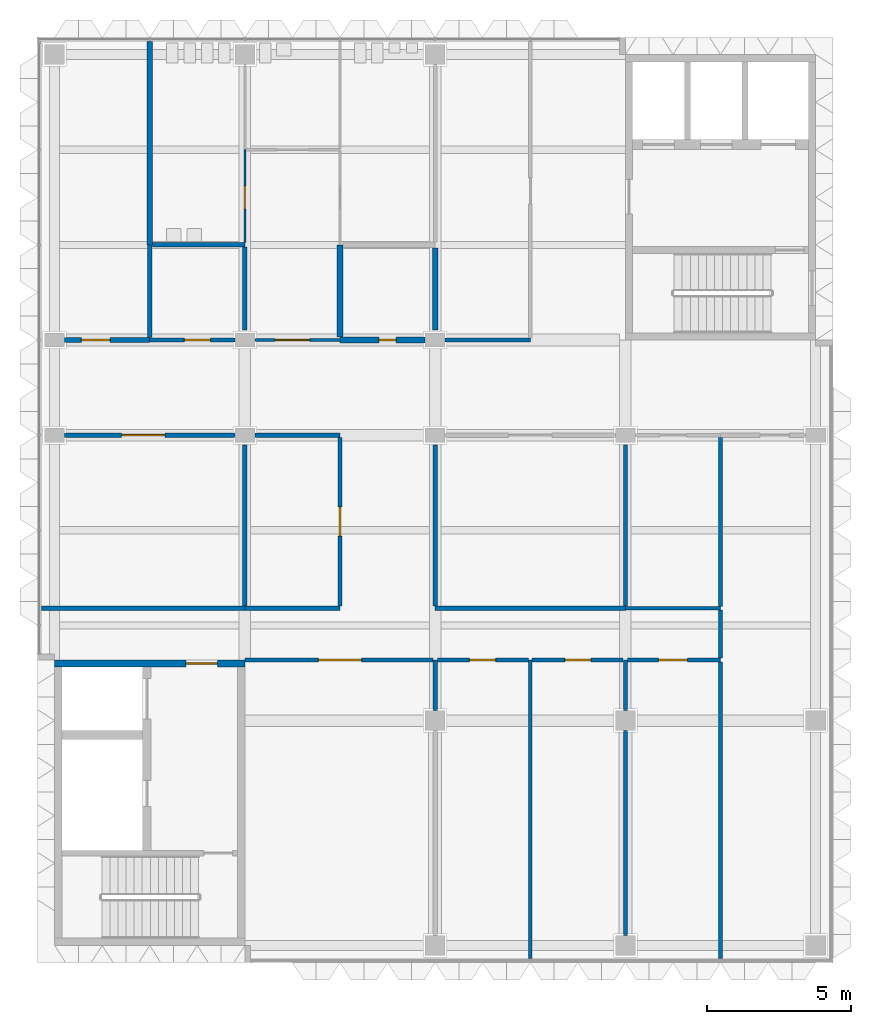
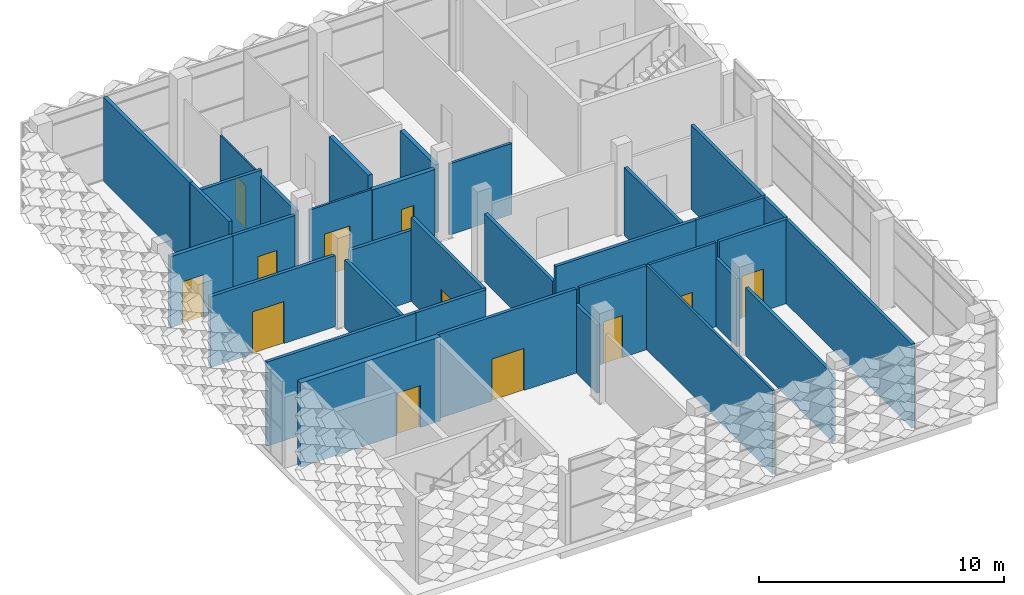
# One storey, part 9 of 29: 34 walls, 12 doors, 12 openings.
"""IFC4 building model written with IfcOpenShell, lengths in metres."""

from ifc_helpers import new_model, si_unit, direction, frame, frame_2d, origin, place, context, subcontext, project, spatial, rectangle, extrude, material, layer, layer_set, type_object, element, fill, save


model = new_model("IFC4")

# Units and contexts
model_context = context("Model", 3, precision=1e-05, world=origin(), true_north=direction((0.0, 1.0)))
body_context = subcontext(model_context, "Body", "Model", "MODEL_VIEW")
ifc_project = project(units=[si_unit("LENGTHUNIT", "METRE"), si_unit("AREAUNIT", "SQUARE_METRE"), si_unit("VOLUMEUNIT", "CUBIC_METRE"), si_unit("PLANEANGLEUNIT", "RADIAN"), si_unit("MASSUNIT", "GRAM", prefix="KILO")], contexts=[model_context])

# Site, building, storey
site_placement = place(None, origin())
site = spatial("IfcSite", under=ifc_project, at=site_placement, CompositionType="ELEMENT")
building_placement = place(site_placement, origin())
building = spatial("IfcBuilding", under=site, at=building_placement, Name="Lantern Court Research Institute", CompositionType="ELEMENT")
storey_placement = place(building_placement, frame((0.0, 0.0, 32.39990234375)))
storey = spatial("IfcBuildingStorey", under=building, at=storey_placement, Name="L07", CompositionType="ELEMENT", Elevation=32.39990234375)

# Wall, opening, door
ifc_material_1 = material(Name="Double-stud acoustic gypsum board partition, mineral wool filled")
ifc_layer_1 = layer(ifc_material_1, 0.175048828125)
ifc_layer_set_1 = layer_set([ifc_layer_1], Name="Double-stud acoustic gypsum board partition, mineral wool filled")
wall_type_1 = type_object("IfcWallType", Name="Acoustic partition 175 EI 60", PredefinedType="PARTITIONING", material=ifc_layer_set_1)
wall_1_placement = place(storey_placement, frame((53.14990234375, 13.199951171875, 0.0), z_axis=(0.0, 0.0, 1.0), x_axis=(1.0, 0.0, 0.0)))
wall_1 = element("IfcWall", 1, at=wall_1_placement, inside=storey, type_object=wall_type_1, Name="Acoustic partition 175 EI 60", PredefinedType="PARTITIONING", context=body_context, shape_type="SweptSolid", body=[
    extrude(rectangle(XDim=2.9501953125, YDim=0.175048828125, at=frame_2d((1.47509765625, 0.0))), origin(), (0.0, 0.0, 1.0), 3.550048828125),
])
opening_1_placement = place(wall_1_placement, frame((0.574951171875, 0.0, 0.0)))
opening_1 = element("IfcOpeningElement", 2, at=opening_1_placement, cuts=wall_1, Name="Opening D5701", PredefinedType="OPENING", context=body_context, shape_type="SweptSolid", body=[
    extrude(rectangle(XDim=1.0, YDim=2.10009765625, at=frame_2d((0.5, 1.050048828125))), frame((0.0, 0.097412109375, 0.0), z_axis=(0.0, -1.0, 0.0), x_axis=(1.0, 0.0, 0.0)), (0.0, 0.0, 1.0), 0.195068359375),
])
ifc_material_2 = material(Name="Solid-core timber door leaf", Category="wood")
ifc_layer_2 = layer(ifc_material_2, 0.053955078125)
ifc_layer_set_2 = layer_set([ifc_layer_2], Name="Solid-core timber door leaf")
door_type_1 = type_object("IfcDoorType", Name="Meeting room door 1000 x 2100 single FD30S", OperationType="NOTDEFINED", PredefinedType="DOOR", material=ifc_layer_set_2)
door_1_placement = place(opening_1_placement, origin())
door_1 = element("IfcDoor", 3, at=door_1_placement, inside=storey, type_object=door_type_1, Name="Door D5701", OperationType="SINGLE_SWING_RIGHT", OverallHeight=2.10009765625, OverallWidth=1.0, PredefinedType="DOOR", context=body_context, shape_type="SweptSolid", body=[
    extrude(rectangle(XDim=1.0, YDim=2.10009765625, at=frame_2d((0.5, 1.050048828125))), frame((0.0, 0.02685546875, 0.0), z_axis=(0.0, -1.0, 0.0), x_axis=(1.0, 0.0, 0.0)), (0.0, 0.0, 1.0), 0.053955078125),
])
fill(opening_1, door_1)

# Wall
wall_2_placement = place(storey_placement, frame((56.10009765625, 16.5, 0.0), z_axis=(0.0, 0.0, 1.0), x_axis=(0.0, 1.0, 0.0)))
element("IfcWall", 4, at=wall_2_placement, inside=storey, type_object=wall_type_1, Name="Acoustic partition 175 EI 60", PredefinedType="PARTITIONING", context=body_context, shape_type="SweptSolid", body=[
    extrude(rectangle(XDim=7.050048828125, YDim=0.175048828125, at=frame_2d((3.52490234375, 0.0))), origin(), (0.0, 0.0, 1.0), 4.2001953125),
])

# Wall, opening, door
ifc_material_3 = material(Name="Fire-rated gypsum board partition, mineral wool filled")
ifc_layer_3 = layer(ifc_material_3, 0.199951171875)
ifc_layer_set_3 = layer_set([ifc_layer_3], Name="Fire-rated gypsum board partition, mineral wool filled")
wall_type_2 = type_object("IfcWallType", Name="Compartment wall 200 EI 120", PredefinedType="PARTITIONING", material=ifc_layer_set_3)
wall_3_placement = place(storey_placement, frame((62.699951171875, 13.199951171875, 0.0), z_axis=(0.0, 0.0, 1.0), x_axis=(1.0, 0.0, 0.0)))
wall_3 = element("IfcWall", 5, at=wall_3_placement, inside=storey, type_object=wall_type_2, Name="Compartment wall 200 EI 120", PredefinedType="PARTITIONING", context=body_context, shape_type="SweptSolid", body=[
    extrude(rectangle(XDim=2.949951171875, YDim=0.199951171875, at=frame_2d((1.47509765625, 0.0))), origin(), (0.0, 0.0, 1.0), 3.550048828125),
])
opening_2_placement = place(wall_3_placement, frame((1.35009765625, 0.0, 0.0)))
opening_2 = element("IfcOpeningElement", 6, at=opening_2_placement, cuts=wall_3, Name="Opening D5706", PredefinedType="OPENING", context=body_context, shape_type="SweptSolid", body=[
    extrude(rectangle(XDim=0.60009765625, YDim=2.10009765625, at=frame_2d((0.300048828125, 1.050048828125))), frame((0.0, 0.10986328125, 0.0), z_axis=(0.0, -1.0, 0.0), x_axis=(1.0, 0.0, 0.0)), (0.0, 0.0, 1.0), 0.219970703125),
])
ifc_material_4 = material(Name="Solid-core timber door leaf", Category="wood")
ifc_layer_4 = layer(ifc_material_4, 0.06005859375)
ifc_layer_set_4 = layer_set([ifc_layer_4], Name="Solid-core timber door leaf")
door_type_2 = type_object("IfcDoorType", Name="Service riser door 600 x 2100 single FD60", OperationType="NOTDEFINED", PredefinedType="DOOR", material=ifc_layer_set_4)
door_2_placement = place(opening_2_placement, origin())
door_2 = element("IfcDoor", 7, at=door_2_placement, inside=storey, type_object=door_type_2, Name="Door D5706", OperationType="SINGLE_SWING_RIGHT", OverallHeight=2.10009765625, OverallWidth=0.60009765625, PredefinedType="DOOR", context=body_context, shape_type="SweptSolid", body=[
    extrude(rectangle(XDim=0.60009765625, YDim=2.10009765625, at=frame_2d((0.300048828125, 1.050048828125))), frame((0.0, 0.030029296875, 0.0), z_axis=(0.0, -1.0, 0.0), x_axis=(1.0, 0.0, 0.0)), (0.0, 0.0, 1.0), 0.06005859375),
])
fill(opening_2, door_2)

# Walls
wall_4_placement = place(storey_placement, frame((62.699951171875, 13.300048828125, 0.0), z_axis=(0.0, 0.0, 1.0), x_axis=(0.0, 1.0, 0.0)))
element("IfcWall", 8, at=wall_4_placement, inside=storey, type_object=wall_type_2, Name="Compartment wall 200 EI 120", PredefinedType="PARTITIONING", context=body_context, shape_type="SweptSolid", body=[
    extrude(rectangle(XDim=3.199951171875, YDim=0.199951171875, at=frame_2d((1.60009765625, 0.0))), origin(), (0.0, 0.0, 1.0), 4.2001953125),
])
wall_5_placement = place(storey_placement, frame((66.0, 13.550048828125, 0.0), z_axis=(0.0, 0.0, 1.0), x_axis=(0.0, 1.0, 0.0)))
element("IfcWall", 9, at=wall_5_placement, inside=storey, type_object=wall_type_2, Name="Compartment wall 200 EI 120", PredefinedType="PARTITIONING", context=body_context, shape_type="SweptSolid", body=[
    extrude(rectangle(XDim=2.849853515625, YDim=0.199951171875, at=frame_2d((1.4248046875, 0.0))), origin(), (0.0, 0.0, 1.0), 3.400146484375),
])
ifc_material_5 = material(Name="Fire-rated gypsum board partition, mineral wool filled")
ifc_layer_5 = layer(ifc_material_5, 0.125)
ifc_layer_set_5 = layer_set([ifc_layer_5], Name="Fire-rated gypsum board partition, mineral wool filled")
wall_type_3 = type_object("IfcWallType", Name="Corridor partition 125 EI 60", PredefinedType="PARTITIONING", material=ifc_layer_set_5)
wall_6_placement = place(storey_placement, frame((69.300048828125, 13.199951171875, 0.0), z_axis=(0.0, 0.0, 1.0), x_axis=(-1.0, 0.0, 0.0)))
element("IfcWall", 10, at=wall_6_placement, inside=storey, type_object=wall_type_3, Name="Corridor partition 125 EI 60", PredefinedType="PARTITIONING", context=body_context, shape_type="SweptSolid", body=[
    extrude(rectangle(XDim=2.949951171875, YDim=0.125, at=frame_2d((1.47509765625, 0.0))), origin(), (0.0, 0.0, 1.0), 3.550048828125),
])

# Wall, opening, door
wall_7_placement = place(storey_placement, frame((69.2451171875, 2.10009765625, 0.0), z_axis=(0.0, 0.0, 1.0), x_axis=(-1.0, 0.0, 0.0)))
wall_7 = element("IfcWall", 11, at=wall_7_placement, inside=storey, type_object=wall_type_3, Name="Corridor partition 125 EI 60", PredefinedType="PARTITIONING", context=body_context, shape_type="SweptSolid", body=[
    extrude(rectangle(XDim=3.170166015625, YDim=0.125, at=frame_2d((1.5849609375, 0.0))), origin(), (0.0, 0.0, 1.0), 4.2001953125),
])
opening_3_placement = place(wall_7_placement, frame((1.14501953125, 0.0, 0.0)))
opening_3 = element("IfcOpeningElement", 12, at=opening_3_placement, cuts=wall_7, Name="Opening D5710", PredefinedType="OPENING", context=body_context, shape_type="SweptSolid", body=[
    extrude(rectangle(XDim=0.89990234375, YDim=2.10009765625, at=frame_2d((0.449951171875, 1.050048828125))), frame((0.0, 0.072509765625, 0.0), z_axis=(0.0, -1.0, 0.0), x_axis=(1.0, 0.0, 0.0)), (0.0, 0.0, 1.0), 0.14501953125),
])
ifc_material_6 = material(Name="Solid-core timber door leaf", Category="wood")
ifc_layer_6 = layer(ifc_material_6, 0.053955078125)
ifc_layer_set_6 = layer_set([ifc_layer_6], Name="Solid-core timber door leaf")
door_type_3 = type_object("IfcDoorType", Name="Office door 900 x 2100 single FD30S", OperationType="NOTDEFINED", PredefinedType="DOOR", material=ifc_layer_set_6)
door_3_placement = place(opening_3_placement, origin())
door_3 = element("IfcDoor", 13, at=door_3_placement, inside=storey, type_object=door_type_3, Name="Door D5710", OperationType="SINGLE_SWING_LEFT", OverallHeight=2.10009765625, OverallWidth=0.89990234375, PredefinedType="DOOR", context=body_context, shape_type="SweptSolid", body=[
    extrude(rectangle(XDim=0.89990234375, YDim=2.10009765625, at=frame_2d((0.449951171875, 1.050048828125))), frame((0.0, 0.02685546875, 0.0), z_axis=(0.0, -1.0, 0.0), x_axis=(1.0, 0.0, 0.0)), (0.0, 0.0, 1.0), 0.053955078125),
])
fill(opening_3, door_3)

wall_8_placement = place(storey_placement, frame((72.52490234375, 2.10009765625, 0.0), z_axis=(0.0, 0.0, 1.0), x_axis=(-1.0, 0.0, 0.0)))
wall_8 = element("IfcWall", 14, at=wall_8_placement, inside=storey, type_object=wall_type_3, Name="Corridor partition 125 EI 60", PredefinedType="PARTITIONING", context=body_context, shape_type="SweptSolid", body=[
    extrude(rectangle(XDim=3.169921875, YDim=0.125, at=frame_2d((1.5849609375, 0.0))), origin(), (0.0, 0.0, 1.0), 4.2001953125),
])
opening_4_placement = place(wall_8_placement, frame((1.125, 0.0, 0.0)))
opening_4 = element("IfcOpeningElement", 15, at=opening_4_placement, cuts=wall_8, Name="Opening D5711", PredefinedType="OPENING", context=body_context, shape_type="SweptSolid", body=[
    extrude(rectangle(XDim=0.89990234375, YDim=2.10009765625, at=frame_2d((0.449951171875, 1.050048828125))), frame((0.0, 0.072509765625, 0.0), z_axis=(0.0, -1.0, 0.0), x_axis=(1.0, 0.0, 0.0)), (0.0, 0.0, 1.0), 0.14501953125),
])
door_4_placement = place(opening_4_placement, origin())
door_4 = element("IfcDoor", 16, at=door_4_placement, inside=storey, type_object=door_type_3, Name="Door D5711", OperationType="SINGLE_SWING_LEFT", OverallHeight=2.10009765625, OverallWidth=0.89990234375, PredefinedType="DOOR", context=body_context, shape_type="SweptSolid", body=[
    extrude(rectangle(XDim=0.89990234375, YDim=2.10009765625, at=frame_2d((0.449951171875, 1.050048828125))), frame((0.0, 0.02685546875, 0.0), z_axis=(0.0, -1.0, 0.0), x_axis=(1.0, 0.0, 0.0)), (0.0, 0.0, 1.0), 0.053955078125),
])
fill(opening_4, door_4)

# Wall
wall_9_placement = place(storey_placement, frame((75.89990234375, 3.89990234375, 0.0), z_axis=(0.0, 0.0, 1.0), x_axis=(-1.0, 0.0, 0.0)))
element("IfcWall", 17, at=wall_9_placement, inside=storey, type_object=wall_type_3, Name="Corridor partition 125 EI 60", PredefinedType="PARTITIONING", context=body_context, shape_type="SweptSolid", body=[
    extrude(rectangle(XDim=3.2998046875, YDim=0.125, at=frame_2d((1.64990234375, 0.0))), origin(), (0.0, 0.0, 1.0), 4.2001953125),
])

# Wall, opening, door
ifc_material_7 = material(Name="Fire-rated gypsum board partition, mineral wool filled")
ifc_layer_7 = layer(ifc_material_7, 0.14990234375)
ifc_layer_set_7 = layer_set([ifc_layer_7], Name="Fire-rated gypsum board partition, mineral wool filled")
wall_type_4 = type_object("IfcWallType", Name="Laboratory partition 150 EI 60", PredefinedType="PARTITIONING", material=ifc_layer_set_7)
wall_10_placement = place(storey_placement, frame((59.050048828125, 13.199951171875, 0.0), z_axis=(0.0, 0.0, 1.0), x_axis=(-1.0, 0.0, 0.0)))
wall_10 = element("IfcWall", 18, at=wall_10_placement, inside=storey, type_object=wall_type_4, Name="Laboratory partition 150 EI 60", PredefinedType="PARTITIONING", context=body_context, shape_type="SweptSolid", body=[
    extrude(rectangle(XDim=2.949951171875, YDim=0.14990234375, at=frame_2d((1.47509765625, 0.0))), origin(), (0.0, 0.0, 1.0), 3.550048828125),
])
opening_5_placement = place(wall_10_placement, frame((0.85009765625, 0.0, 0.0)))
opening_5 = element("IfcOpeningElement", 19, at=opening_5_placement, cuts=wall_10, Name="Opening D5702", PredefinedType="OPENING", context=body_context, shape_type="SweptSolid", body=[
    extrude(rectangle(XDim=0.89990234375, YDim=2.10009765625, at=frame_2d((0.449951171875, 1.050048828125))), frame((0.0, 0.0849609375, 0.0), z_axis=(0.0, -1.0, 0.0), x_axis=(1.0, 0.0, 0.0)), (0.0, 0.0, 1.0), 0.169921875),
])
ifc_material_8 = material(Name="Solid-core timber door leaf", Category="wood")
ifc_layer_8 = layer(ifc_material_8, 0.053955078125)
ifc_layer_set_8 = layer_set([ifc_layer_8], Name="Solid-core timber door leaf")
door_type_4 = type_object("IfcDoorType", Name="Cleaners store door 900 x 2100 single FD30S", OperationType="NOTDEFINED", PredefinedType="DOOR", material=ifc_layer_set_8)
door_5_placement = place(opening_5_placement, origin())
door_5 = element("IfcDoor", 20, at=door_5_placement, inside=storey, type_object=door_type_4, Name="Door D5702", OperationType="SINGLE_SWING_LEFT", OverallHeight=2.10009765625, OverallWidth=0.89990234375, PredefinedType="DOOR", context=body_context, shape_type="SweptSolid", body=[
    extrude(rectangle(XDim=0.89990234375, YDim=2.10009765625, at=frame_2d((0.449951171875, 1.050048828125))), frame((0.0, 0.02685546875, 0.0), z_axis=(0.0, -1.0, 0.0), x_axis=(1.0, 0.0, 0.0)), (0.0, 0.0, 1.0), 0.053955078125),
])
fill(opening_5, door_5)

wall_11_placement = place(storey_placement, frame((53.14990234375, 9.89990234375, 0.0), z_axis=(0.0, 0.0, 1.0), x_axis=(1.0, 0.0, 0.0)))
wall_11 = element("IfcWall", 21, at=wall_11_placement, inside=storey, type_object=wall_type_4, Name="Laboratory partition 150 EI 60", PredefinedType="PARTITIONING", context=body_context, shape_type="SweptSolid", body=[
    extrude(rectangle(XDim=5.900146484375, YDim=0.14990234375, at=frame_2d((2.9501953125, 0.0))), origin(), (0.0, 0.0, 1.0), 3.550048828125),
])
opening_6_placement = place(wall_11_placement, frame((1.97509765625, 0.0, 0.0)))
opening_6 = element("IfcOpeningElement", 22, at=opening_6_placement, cuts=wall_11, Name="Opening D5713", PredefinedType="OPENING", context=body_context, shape_type="SweptSolid", body=[
    extrude(rectangle(XDim=1.5, YDim=2.10009765625, at=frame_2d((0.75, 1.050048828125))), frame((0.0, 0.0849609375, 0.0), z_axis=(0.0, -1.0, 0.0), x_axis=(1.0, 0.0, 0.0)), (0.0, 0.0, 1.0), 0.169921875),
])
ifc_material_9 = material(Name="Solid-core timber door leaf with vision panel", Category="wood")
ifc_layer_9 = layer(ifc_material_9, 0.053955078125)
ifc_layer_set_9 = layer_set([ifc_layer_9], Name="Solid-core timber door leaf with vision panel")
door_type_5 = type_object("IfcDoorType", Name="Laboratory double door 1500 x 2100 pair FD30S", OperationType="DOUBLE_DOOR_SINGLE_SWING", PredefinedType="DOOR", material=ifc_layer_set_9)
door_6_placement = place(opening_6_placement, origin())
door_6 = element("IfcDoor", 23, at=door_6_placement, inside=storey, type_object=door_type_5, Name="Door D5713", OperationType="DOUBLE_DOOR_SINGLE_SWING", OverallHeight=2.10009765625, OverallWidth=1.5, PredefinedType="DOOR", context=body_context, shape_type="SweptSolid", body=[
    extrude(rectangle(XDim=1.5, YDim=2.10009765625, at=frame_2d((0.75, 1.050048828125))), frame((0.0, 0.02685546875, 0.0), z_axis=(0.0, -1.0, 0.0), x_axis=(1.0, 0.0, 0.0)), (0.0, 0.0, 1.0), 0.053955078125),
])
fill(opening_6, door_6)

# Walls
wall_12_placement = place(storey_placement, frame((59.75, 9.89990234375, 0.0), z_axis=(0.0, 0.0, 1.0), x_axis=(1.0, 0.0, 0.0)))
element("IfcWall", 24, at=wall_12_placement, inside=storey, type_object=wall_type_4, Name="Laboratory partition 150 EI 60", PredefinedType="PARTITIONING", context=body_context, shape_type="SweptSolid", body=[
    extrude(rectangle(XDim=2.949951171875, YDim=0.14990234375, at=frame_2d((1.47509765625, 0.0))), origin(), (0.0, 0.0, 1.0), 3.550048828125),
])
wall_13_placement = place(storey_placement, frame((56.10009765625, 13.28759765625, 0.0), z_axis=(0.0, 0.0, 1.0), x_axis=(0.0, 1.0, 0.0)))
element("IfcWall", 25, at=wall_13_placement, inside=storey, type_object=wall_type_4, Name="Laboratory partition 150 EI 60", PredefinedType="PARTITIONING", context=body_context, shape_type="SweptSolid", body=[
    extrude(rectangle(XDim=3.21240234375, YDim=0.14990234375, at=frame_2d((1.606201171875, 0.0))), origin(), (0.0, 0.0, 1.0), 4.2001953125),
])
wall_14_placement = place(storey_placement, frame((59.39990234375, 16.5, 0.0), z_axis=(0.0, 0.0, 1.0), x_axis=(-1.0, 0.0, 0.0)))
element("IfcWall", 26, at=wall_14_placement, inside=storey, type_object=wall_type_4, Name="Laboratory partition 150 EI 60", PredefinedType="PARTITIONING", context=body_context, shape_type="SweptSolid", body=[
    extrude(rectangle(XDim=3.21240234375, YDim=0.14990234375, at=frame_2d((1.606201171875, 0.0))), origin(), (0.0, 0.0, 1.0), 3.7001953125),
])
wall_15_placement = place(storey_placement, frame((59.39990234375, 13.550048828125, 0.0), z_axis=(0.0, 0.0, 1.0), x_axis=(0.0, 1.0, 0.0)))
element("IfcWall", 27, at=wall_15_placement, inside=storey, type_object=wall_type_4, Name="Laboratory partition 150 EI 60", PredefinedType="PARTITIONING", context=body_context, shape_type="SweptSolid", body=[
    extrude(rectangle(XDim=2.875, YDim=0.14990234375, at=frame_2d((1.4375, 0.0))), origin(), (0.0, 0.0, 1.0), 3.400146484375),
])
wall_16_placement = place(storey_placement, frame((66.0, 0.35009765625, 0.0), z_axis=(0.0, 0.0, 1.0), x_axis=(0.0, 1.0, 0.0)))
element("IfcWall", 28, at=wall_16_placement, inside=storey, type_object=wall_type_4, Name="Laboratory partition 150 EI 60", PredefinedType="PARTITIONING", context=body_context, shape_type="SweptSolid", body=[
    extrude(rectangle(XDim=1.75, YDim=0.14990234375, at=frame_2d((0.875, 0.0))), origin(), (0.0, 0.0, 1.0), 3.400146484375),
])

# Wall, opening, door
wall_17_placement = place(storey_placement, frame((65.925048828125, 2.10009765625, 0.0), z_axis=(0.0, 0.0, 1.0), x_axis=(-1.0, 0.0, 0.0)))
wall_17 = element("IfcWall", 29, at=wall_17_placement, inside=storey, type_object=wall_type_4, Name="Laboratory partition 150 EI 60", PredefinedType="PARTITIONING", context=body_context, shape_type="SweptSolid", body=[
    extrude(rectangle(XDim=6.52490234375, YDim=0.14990234375, at=frame_2d((3.262451171875, 0.0))), origin(), (0.0, 0.0, 1.0), 4.2001953125),
])
opening_7_placement = place(wall_17_placement, frame((2.47509765625, 0.0, 0.0)))
opening_7 = element("IfcOpeningElement", 30, at=opening_7_placement, cuts=wall_17, Name="Opening D5709", PredefinedType="OPENING", context=body_context, shape_type="SweptSolid", body=[
    extrude(rectangle(XDim=1.5, YDim=2.10009765625, at=frame_2d((0.75, 1.050048828125))), frame((0.0, 0.0849609375, 0.0), z_axis=(0.0, -1.0, 0.0), x_axis=(1.0, 0.0, 0.0)), (0.0, 0.0, 1.0), 0.169921875),
])
door_7_placement = place(opening_7_placement, origin())
door_7 = element("IfcDoor", 31, at=door_7_placement, inside=storey, type_object=door_type_5, Name="Door D5709", OperationType="DOUBLE_DOOR_SINGLE_SWING", OverallHeight=2.10009765625, OverallWidth=1.5, PredefinedType="DOOR", context=body_context, shape_type="SweptSolid", body=[
    extrude(rectangle(XDim=1.5, YDim=2.10009765625, at=frame_2d((0.75, 1.050048828125))), frame((0.0, 0.02685546875, 0.0), z_axis=(0.0, -1.0, 0.0), x_axis=(1.0, 0.0, 0.0)), (0.0, 0.0, 1.0), 0.053955078125),
])
fill(opening_7, door_7)

# Walls
wall_18_placement = place(storey_placement, frame((72.60009765625, -7.449951171875, 0.0), z_axis=(0.0, 0.0, 1.0), x_axis=(0.0, 1.0, 0.0)))
element("IfcWall", 32, at=wall_18_placement, inside=storey, type_object=wall_type_4, Name="Laboratory partition 150 EI 60", PredefinedType="PARTITIONING", context=body_context, shape_type="SweptSolid", body=[
    extrude(rectangle(XDim=7.099853515625, YDim=0.14990234375, at=frame_2d((3.5498046875, 0.0))), origin(), (0.0, 0.0, 1.0), 3.400146484375),
])
wall_19_placement = place(storey_placement, frame((72.60009765625, 0.35009765625, 0.0), z_axis=(0.0, 0.0, 1.0), x_axis=(0.0, 1.0, 0.0)))
element("IfcWall", 33, at=wall_19_placement, inside=storey, type_object=wall_type_4, Name="Laboratory partition 150 EI 60", PredefinedType="PARTITIONING", context=body_context, shape_type="SweptSolid", body=[
    extrude(rectangle(XDim=1.75, YDim=0.14990234375, at=frame_2d((0.875, 0.0))), origin(), (0.0, 0.0, 1.0), 3.400146484375),
])

# Wall, opening, door
wall_20_placement = place(storey_placement, frame((75.89990234375, 2.10009765625, 0.0), z_axis=(0.0, 0.0, 1.0), x_axis=(-1.0, 0.0, 0.0)))
wall_20 = element("IfcWall", 34, at=wall_20_placement, inside=storey, type_object=wall_type_4, Name="Laboratory partition 150 EI 60", PredefinedType="PARTITIONING", context=body_context, shape_type="SweptSolid", body=[
    extrude(rectangle(XDim=3.224853515625, YDim=0.14990234375, at=frame_2d((1.6123046875, 0.0))), origin(), (0.0, 0.0, 1.0), 4.2001953125),
])
opening_8_placement = place(wall_20_placement, frame((1.14990234375, 0.0, 0.0)))
opening_8 = element("IfcOpeningElement", 35, at=opening_8_placement, cuts=wall_20, Name="Opening D5712", PredefinedType="OPENING", context=body_context, shape_type="SweptSolid", body=[
    extrude(rectangle(XDim=1.0, YDim=2.10009765625, at=frame_2d((0.5, 1.050048828125))), frame((0.0, 0.0849609375, 0.0), z_axis=(0.0, -1.0, 0.0), x_axis=(1.0, 0.0, 0.0)), (0.0, 0.0, 1.0), 0.169921875),
])
ifc_material_10 = material(Name="Solid-core timber door leaf with vision panel", Category="wood")
ifc_layer_10 = layer(ifc_material_10, 0.053955078125)
ifc_layer_set_10 = layer_set([ifc_layer_10], Name="Solid-core timber door leaf with vision panel")
door_type_6 = type_object("IfcDoorType", Name="Laboratory door 1000 x 2100 single FD30S", OperationType="NOTDEFINED", PredefinedType="DOOR", material=ifc_layer_set_10)
door_8_placement = place(opening_8_placement, origin())
door_8 = element("IfcDoor", 36, at=door_8_placement, inside=storey, type_object=door_type_6, Name="Door D5712", OperationType="SINGLE_SWING_LEFT", OverallHeight=2.10009765625, OverallWidth=1.0, PredefinedType="DOOR", context=body_context, shape_type="SweptSolid", body=[
    extrude(rectangle(XDim=1.0, YDim=2.10009765625, at=frame_2d((0.5, 1.050048828125))), frame((0.0, 0.02685546875, 0.0), z_axis=(0.0, -1.0, 0.0), x_axis=(1.0, 0.0, 0.0)), (0.0, 0.0, 1.0), 0.053955078125),
])
fill(opening_8, door_8)

# Walls
wall_21_placement = place(storey_placement, frame((75.89990234375, -8.25, 0.0), z_axis=(0.0, 0.0, 1.0), x_axis=(0.0, 1.0, 0.0)))
element("IfcWall", 37, at=wall_21_placement, inside=storey, type_object=wall_type_4, Name="Laboratory partition 150 EI 60", PredefinedType="PARTITIONING", context=body_context, shape_type="SweptSolid", body=[
    extrude(rectangle(XDim=10.27490234375, YDim=0.14990234375, at=frame_2d((5.137451171875, 0.0))), origin(), (0.0, 0.0, 1.0), 4.2001953125),
])
wall_22_placement = place(storey_placement, frame((59.39990234375, 3.89990234375, 0.0), z_axis=(0.0, 0.0, 1.0), x_axis=(-1.0, 0.0, 0.0)))
element("IfcWall", 38, at=wall_22_placement, inside=storey, type_object=wall_type_4, Name="Laboratory partition 150 EI 60", PredefinedType="PARTITIONING", context=body_context, shape_type="SweptSolid", body=[
    extrude(rectangle(XDim=7.0498046875, YDim=0.14990234375, at=frame_2d((3.52490234375, 0.0))), origin(), (0.0, 0.0, 1.0), 4.2001953125),
])
wall_23_placement = place(storey_placement, frame((62.699951171875, 3.89990234375, 0.0), z_axis=(0.0, 0.0, 1.0), x_axis=(-1.0, 0.0, 0.0)))
element("IfcWall", 39, at=wall_23_placement, inside=storey, type_object=wall_type_4, Name="Laboratory partition 150 EI 60", PredefinedType="PARTITIONING", context=body_context, shape_type="SweptSolid", body=[
    extrude(rectangle(XDim=3.300048828125, YDim=0.14990234375, at=frame_2d((1.64990234375, 0.0))), origin(), (0.0, 0.0, 1.0), 4.2001953125),
])
wall_24_placement = place(storey_placement, frame((72.60009765625, 3.89990234375, 0.0), z_axis=(0.0, 0.0, 1.0), x_axis=(-1.0, 0.0, 0.0)))
element("IfcWall", 40, at=wall_24_placement, inside=storey, type_object=wall_type_4, Name="Laboratory partition 150 EI 60", PredefinedType="PARTITIONING", context=body_context, shape_type="SweptSolid", body=[
    extrude(rectangle(XDim=6.60009765625, YDim=0.14990234375, at=frame_2d((3.300048828125, 0.0))), origin(), (0.0, 0.0, 1.0), 4.2001953125),
])
wall_25_placement = place(storey_placement, frame((75.89990234375, 2.175048828125, 0.0), z_axis=(0.0, 0.0, 1.0), x_axis=(0.0, 1.0, 0.0)))
element("IfcWall", 41, at=wall_25_placement, inside=storey, type_object=wall_type_4, Name="Laboratory partition 150 EI 60", PredefinedType="PARTITIONING", context=body_context, shape_type="SweptSolid", body=[
    extrude(rectangle(XDim=1.662353515625, YDim=0.14990234375, at=frame_2d((0.8310546875, 0.0))), origin(), (0.0, 0.0, 1.0), 4.2001953125),
])
wall_26_placement = place(storey_placement, frame((59.39990234375, 3.97509765625, 0.0), z_axis=(0.0, 0.0, 1.0), x_axis=(0.0, 1.0, 0.0)))
element("IfcWall", 42, at=wall_26_placement, inside=storey, type_object=wall_type_4, Name="Laboratory partition 150 EI 60", PredefinedType="PARTITIONING", context=body_context, shape_type="SweptSolid", body=[
    extrude(rectangle(XDim=5.574951171875, YDim=0.14990234375, at=frame_2d((2.78759765625, 0.0))), origin(), (0.0, 0.0, 1.0), 3.400146484375),
])

# Wall, opening, door
wall_27_placement = place(storey_placement, frame((62.699951171875, 9.824951171875, 0.0), z_axis=(0.0, 0.0, 1.0), x_axis=(0.0, -1.0, 0.0)))
wall_27 = element("IfcWall", 43, at=wall_27_placement, inside=storey, type_object=wall_type_4, Name="Laboratory partition 150 EI 60", PredefinedType="PARTITIONING", context=body_context, shape_type="SweptSolid", body=[
    extrude(rectangle(XDim=5.849853515625, YDim=0.14990234375, at=frame_2d((2.9248046875, 0.0))), origin(), (0.0, 0.0, 1.0), 4.2001953125),
])
opening_9_placement = place(wall_27_placement, frame((2.425048828125, 0.0, 0.0)))
opening_9 = element("IfcOpeningElement", 44, at=opening_9_placement, cuts=wall_27, Name="Opening D5714", PredefinedType="OPENING", context=body_context, shape_type="SweptSolid", body=[
    extrude(rectangle(XDim=1.0, YDim=2.10009765625, at=frame_2d((0.5, 1.050048828125))), frame((0.0, 0.0849609375, 0.0), z_axis=(0.0, -1.0, 0.0), x_axis=(1.0, 0.0, 0.0)), (0.0, 0.0, 1.0), 0.169921875),
])
door_9_placement = place(opening_9_placement, origin())
door_9 = element("IfcDoor", 45, at=door_9_placement, inside=storey, type_object=door_type_6, Name="Door D5714", OperationType="SINGLE_SWING_RIGHT", OverallHeight=2.10009765625, OverallWidth=1.0, PredefinedType="DOOR", context=body_context, shape_type="SweptSolid", body=[
    extrude(rectangle(XDim=1.0, YDim=2.10009765625, at=frame_2d((0.5, 1.050048828125))), frame((0.0, 0.02685546875, 0.0), z_axis=(0.0, -1.0, 0.0), x_axis=(1.0, 0.0, 0.0)), (0.0, 0.0, 1.0), 0.053955078125),
])
fill(opening_9, door_9)

# Walls
for number, where, z_axis, x_axis, name in (
    (46, (66.0, 3.97509765625, 0.0), (0.0, 0.0, 1.0), (0.0, 1.0, 0.0), "Laboratory partition 150 EI 60"),
    (47, (72.60009765625, 3.97509765625, 0.0), (0.0, 0.0, 1.0), (0.0, 1.0, 0.0), "Laboratory partition 150 EI 60"),
):
    element("IfcWall", number, at=place(storey_placement, frame(where, z_axis=z_axis, x_axis=x_axis)), inside=storey, type_object=wall_type_4, Name=name, PredefinedType="PARTITIONING", context=body_context, shape_type="SweptSolid", body=[
        extrude(rectangle(XDim=5.574951171875, YDim=0.14990234375, at=frame_2d((2.78759765625, 0.0))), origin(), (0.0, 0.0, 1.0), 3.400146484375),
    ])
wall_28_placement = place(storey_placement, frame((75.89990234375, 3.96240234375, 0.0), z_axis=(0.0, 0.0, 1.0), x_axis=(0.0, 1.0, 0.0)))
element("IfcWall", 48, at=wall_28_placement, inside=storey, type_object=wall_type_4, Name="Laboratory partition 150 EI 60", PredefinedType="PARTITIONING", context=body_context, shape_type="SweptSolid", body=[
    extrude(rectangle(XDim=5.862548828125, YDim=0.14990234375, at=frame_2d((2.93115234375, 0.0))), origin(), (0.0, 0.0, 1.0), 4.2001953125),
])
ifc_material_11 = material(Name="Fire-rated gypsum board partition, mineral wool filled")
ifc_layer_11 = layer(ifc_material_11, 0.110107421875)
ifc_layer_set_11 = layer_set([ifc_layer_11], Name="Fire-rated gypsum board partition, mineral wool filled")
wall_type_5 = type_object("IfcWallType", Name="Office partition 110 EI 30", PredefinedType="PARTITIONING", material=ifc_layer_set_11)
wall_29_placement = place(storey_placement, frame((69.300048828125, -8.25, 0.0), z_axis=(0.0, 0.0, 1.0), x_axis=(0.0, 1.0, 0.0)))
element("IfcWall", 49, at=wall_29_placement, inside=storey, type_object=wall_type_5, Name="Office partition 110 EI 30", PredefinedType="PARTITIONING", context=body_context, shape_type="SweptSolid", body=[
    extrude(rectangle(XDim=10.35009765625, YDim=0.110107421875, at=frame_2d((5.175048828125, 0.0))), origin(), (0.0, 0.0, 1.0), 4.2001953125),
])

# Wall, opening, door
ifc_material_12 = material(Name="Gypsum board partition, mineral wool filled")
ifc_layer_12 = layer(ifc_material_12, 0.10009765625)
ifc_layer_set_12 = layer_set([ifc_layer_12], Name="Gypsum board partition, mineral wool filled")
wall_type_6 = type_object("IfcWallType", Name="Partition 100", PredefinedType="PARTITIONING", material=ifc_layer_set_12)
wall_30_placement = place(storey_placement, frame((59.75, 13.199951171875, 0.0), z_axis=(0.0, 0.0, 1.0), x_axis=(1.0, 0.0, 0.0)))
wall_30 = element("IfcWall", 50, at=wall_30_placement, inside=storey, type_object=wall_type_6, Name="Partition 100", PredefinedType="PARTITIONING", context=body_context, shape_type="SweptSolid", body=[
    extrude(rectangle(XDim=2.949951171875, YDim=0.10009765625, at=frame_2d((1.47509765625, 0.0))), origin(), (0.0, 0.0, 1.0), 3.550048828125),
])
opening_10_placement = place(wall_30_placement, frame((0.699951171875, 0.0, 0.0)))
opening_10 = element("IfcOpeningElement", 51, at=opening_10_placement, cuts=wall_30, Name="Opening D5704", PredefinedType="OPENING", context=body_context, shape_type="SweptSolid", body=[
    extrude(rectangle(XDim=1.199951171875, YDim=2.10009765625, at=frame_2d((0.60009765625, 1.050048828125))), frame((0.0, 0.06005859375, 0.0), z_axis=(0.0, -1.0, 0.0), x_axis=(1.0, 0.0, 0.0)), (0.0, 0.0, 1.0), 0.1201171875),
])
ifc_material_13 = material(Name="Solid-core timber door leaf", Category="wood")
ifc_layer_13 = layer(ifc_material_13, 0.0439453125)
ifc_layer_set_13 = layer_set([ifc_layer_13], Name="Solid-core timber door leaf")
door_type_7 = type_object("IfcDoorType", Name="WC vestibule door 1200 x 2100 single NOT RATED", OperationType="NOTDEFINED", PredefinedType="DOOR", material=ifc_layer_set_13)
door_10_placement = place(opening_10_placement, origin())
door_10 = element("IfcDoor", 52, at=door_10_placement, inside=storey, type_object=door_type_7, Name="Door D5704", OperationType="SINGLE_SWING_RIGHT", OverallHeight=2.10009765625, OverallWidth=1.199951171875, PredefinedType="DOOR", context=body_context, shape_type="SweptSolid", body=[
    extrude(rectangle(XDim=1.199951171875, YDim=2.10009765625, at=frame_2d((0.60009765625, 1.050048828125))), frame((0.0, 0.02197265625, 0.0), z_axis=(0.0, -1.0, 0.0), x_axis=(1.0, 0.0, 0.0)), (0.0, 0.0, 1.0), 0.0439453125),
])
fill(opening_10, door_10)

ifc_material_14 = material(Name="Concrete C40/50", Category="concrete")
ifc_layer_14 = layer(ifc_material_14, 0.25)
ifc_layer_set_14 = layer_set([ifc_layer_14], Name="Concrete C40/50")
wall_type_7 = type_object("IfcWallType", Name="RC core wall 250", PredefinedType="SHEAR", material=ifc_layer_set_14)
wall_31_placement = place(storey_placement, frame((59.39990234375, 1.97509765625, 0.0), z_axis=(0.0, 0.0, 1.0), x_axis=(-1.0, 0.0, 0.0)))
wall_31 = element("IfcWall", 53, at=wall_31_placement, inside=storey, type_object=wall_type_7, Name="North wall of core TC-W", PredefinedType="SHEAR", context=body_context, shape_type="SweptSolid", body=[
    extrude(rectangle(XDim=6.599853515625, YDim=0.25, at=frame_2d((3.2998046875, 0.0))), origin(), (0.0, 0.0, 1.0), 4.2001953125),
])
opening_11_placement = place(wall_31_placement, frame((0.949951171875, 0.0, 0.0)))
opening_11 = element("IfcOpeningElement", 54, at=opening_11_placement, cuts=wall_31, Name="Opening D7129", PredefinedType="OPENING", context=body_context, shape_type="SweptSolid", body=[
    extrude(rectangle(XDim=1.10009765625, YDim=2.10009765625, at=frame_2d((0.550048828125, 1.050048828125))), frame((0.0, 0.135009765625, 0.0), z_axis=(0.0, -1.0, 0.0), x_axis=(1.0, 0.0, 0.0)), (0.0, 0.0, 1.0), 0.27001953125),
])
ifc_material_15 = material(Name="Steel fire door leaf with smoke seals", Category="steel")
door_type_8 = type_object("IfcDoorType", Name="Door 1100 x 2100 fire rated FD60S", OperationType="NOTDEFINED", PredefinedType="DOOR", material=ifc_material_15)
door_11_placement = place(opening_11_placement, origin())
door_11 = element("IfcDoor", 55, at=door_11_placement, inside=storey, type_object=door_type_8, Name="Lobby door", OperationType="SINGLE_SWING_RIGHT", OverallHeight=2.10009765625, OverallWidth=1.10009765625, PredefinedType="DOOR", context=body_context, shape_type="SweptSolid", body=[
    extrude(rectangle(XDim=1.10009765625, YDim=2.10009765625, at=frame_2d((0.550048828125, 1.050048828125))), frame((0.0, 0.02490234375, 0.0), z_axis=(0.0, -1.0, 0.0), x_axis=(1.0, 0.0, 0.0)), (0.0, 0.0, 1.0), 0.050048828125),
])
fill(opening_11, door_11)

ifc_material_16 = material(Name="Gypsum board partition, mineral wool filled")
ifc_layer_15 = layer(ifc_material_16, 0.074951171875)
ifc_layer_set_15 = layer_set([ifc_layer_15], Name="Gypsum board partition, mineral wool filled")
wall_type_8 = type_object("IfcWallType", Name="Wet room partition 75", PredefinedType="PARTITIONING", material=ifc_layer_set_15)
wall_32_placement = place(storey_placement, frame((59.39990234375, 16.574951171875, 0.0), z_axis=(0.0, 0.0, 1.0), x_axis=(0.0, 1.0, 0.0)))
wall_32 = element("IfcWall", 56, at=wall_32_placement, inside=storey, type_object=wall_type_8, Name="Wet room partition 75", PredefinedType="PARTITIONING", context=body_context, shape_type="SweptSolid", body=[
    extrude(rectangle(XDim=3.22509765625, YDim=0.074951171875, at=frame_2d((1.612548828125, 0.0))), origin(), (0.0, 0.0, 1.0), 3.400146484375),
])
opening_12_placement = place(wall_32_placement, frame((1.175048828125, 0.0, 0.0)))
opening_12 = element("IfcOpeningElement", 57, at=opening_12_placement, cuts=wall_32, Name="Opening D5703", PredefinedType="OPENING", context=body_context, shape_type="SweptSolid", body=[
    extrude(rectangle(XDim=0.800048828125, YDim=2.10009765625, at=frame_2d((0.39990234375, 1.050048828125))), frame((0.0, 0.04736328125, 0.0), z_axis=(0.0, -1.0, 0.0), x_axis=(1.0, 0.0, 0.0)), (0.0, 0.0, 1.0), 0.094970703125),
])
ifc_material_17 = material(Name="Solid-core timber door leaf", Category="wood")
ifc_layer_16 = layer(ifc_material_17, 0.0439453125)
ifc_layer_set_16 = layer_set([ifc_layer_16], Name="Solid-core timber door leaf")
door_type_9 = type_object("IfcDoorType", Name="WC door 800 x 2100 single NOT RATED", OperationType="NOTDEFINED", PredefinedType="DOOR", material=ifc_layer_set_16)
door_12_placement = place(opening_12_placement, origin())
door_12 = element("IfcDoor", 58, at=door_12_placement, inside=storey, type_object=door_type_9, Name="Door D5703", OperationType="SINGLE_SWING_LEFT", OverallHeight=2.10009765625, OverallWidth=0.800048828125, PredefinedType="DOOR", context=body_context, shape_type="SweptSolid", body=[
    extrude(rectangle(XDim=0.800048828125, YDim=2.10009765625, at=frame_2d((0.39990234375, 1.050048828125))), frame((0.0, 0.02197265625, 0.0), z_axis=(0.0, -1.0, 0.0), x_axis=(1.0, 0.0, 0.0)), (0.0, 0.0, 1.0), 0.0439453125),
])
fill(opening_12, door_12)

save(model, "model.ifc")
